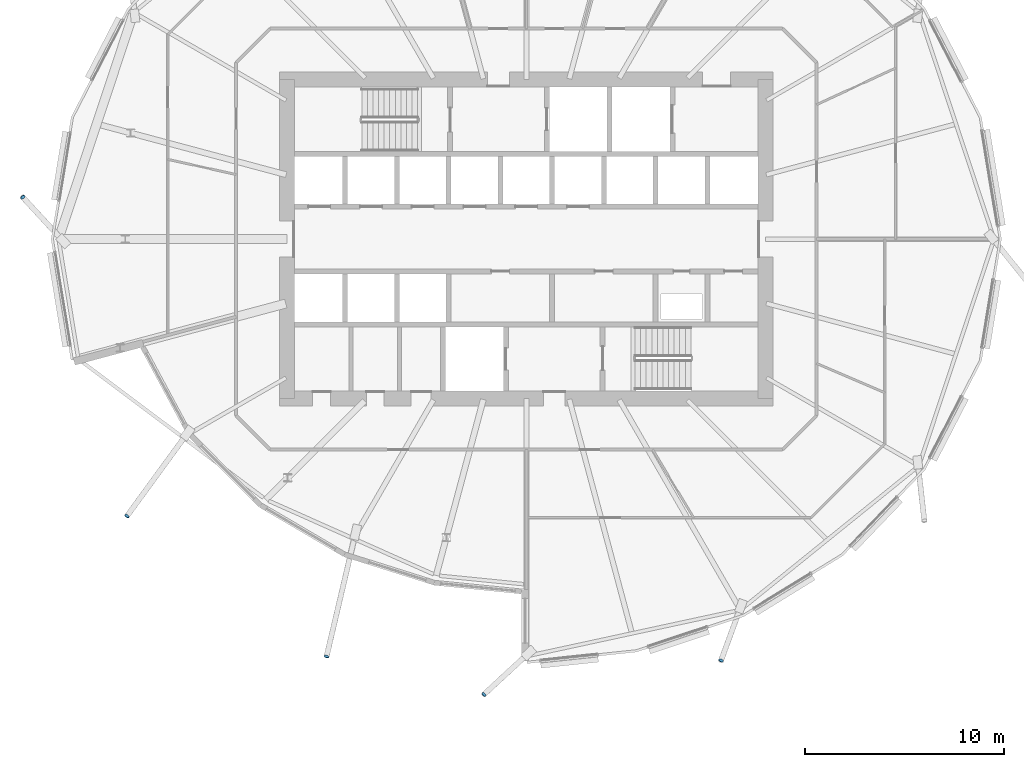
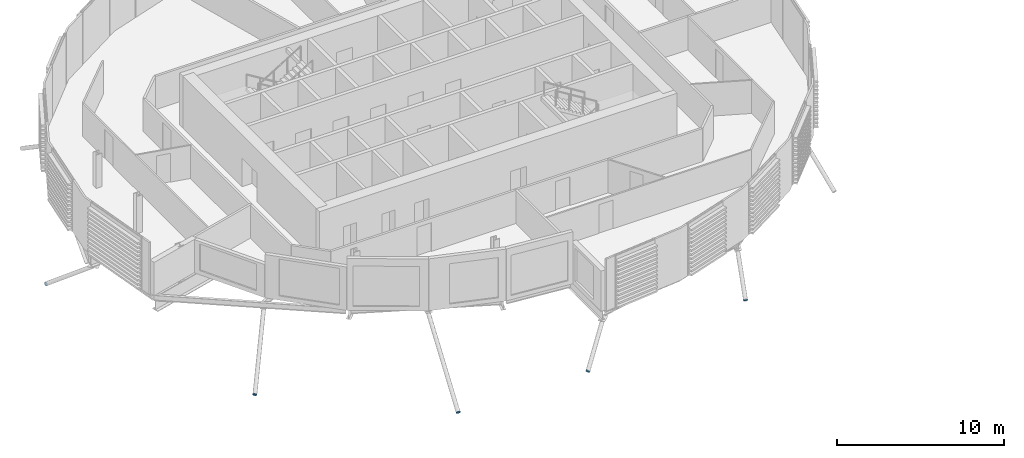
# One storey, part 29 of 42: 5 discrete accessories.
"""IFC4 building model written with IfcOpenShell, lengths in metres."""

from ifc_helpers import new_model, si_unit, direction, frame, origin, origin_2d, place, context, subcontext, project, spatial, circle, extrude, material, material_profile, profile_set, type_object, element, save


model = new_model("IFC4")

# Units and contexts
model_context = context("Model", 3, precision=1e-05, world=origin(), true_north=direction((0.0, 1.0)))
body_context = subcontext(model_context, "Body", "Model", "MODEL_VIEW")
ifc_project = project(units=[si_unit("LENGTHUNIT", "METRE"), si_unit("AREAUNIT", "SQUARE_METRE"), si_unit("VOLUMEUNIT", "CUBIC_METRE"), si_unit("PLANEANGLEUNIT", "RADIAN"), si_unit("MASSUNIT", "GRAM", prefix="KILO")], contexts=[model_context])

# Site, building, storey
site_placement = place(None, origin())
site = spatial("IfcSite", under=ifc_project, at=site_placement, CompositionType="ELEMENT")
building_placement = place(site_placement, origin())
building = spatial("IfcBuilding", under=site, at=building_placement, Name="Rimbun Link Towers", CompositionType="ELEMENT")
storey_placement = place(building_placement, frame((0.0, 0.0, 85.39990234375)))
storey = spatial("IfcBuildingStorey", under=building, at=storey_placement, Name="L20", CompositionType="ELEMENT", Elevation=85.39990234375)

# Discrete accessories
ifc_material = material(Name="Steel S355J2H", Category="steel")
ifc_material_profile = material_profile(ifc_material, circle(Radius=0.1240234375, at=origin_2d()), Name="PL D248")
ifc_profile_set = profile_set([ifc_material_profile], Name="Steel S355J2H")
discrete_accessory_type = type_object("IfcDiscreteAccessoryType", Name="Link foot sealing plate D248X20", PredefinedType="BRACKET", material=ifc_profile_set)
discrete_accessory_1_placement = place(storey_placement, frame((-56.99072265625, 2.09326171875, -3.3154296875), z_axis=(-0.568497551432, 0.616880321766, -0.544306166264), x_axis=(-0.735355995929, -0.677681015856, 0.0)))
element("IfcDiscreteAccessory", 1, at=discrete_accessory_1_placement, inside=storey, type_object=discrete_accessory_type, Name="Link foot sealing plate T1 L20 12", PredefinedType="BRACKET", context=body_context, shape_type="SweptSolid", body=[
    extrude(circle(Radius=0.1240234375, at=origin_2d()), origin(), (0.0, 0.0, 1.0), 0.020263671875),
])
discrete_accessory_2_placement = place(storey_placement, frame((-51.7666015625, -13.881103515625, -3.552001953125), z_axis=(-0.504255075395, -0.701037543842, -0.504255075395), x_axis=(0.811804390952, -0.583929474193, 0.0)))
element("IfcDiscreteAccessory", 2, at=discrete_accessory_2_placement, inside=storey, type_object=discrete_accessory_type, Name="Link foot sealing plate T1 L20 14", PredefinedType="BRACKET", context=body_context, shape_type="SweptSolid", body=[
    extrude(circle(Radius=0.1240234375, at=origin_2d()), origin(), (0.0, 0.0, 1.0), 0.019775390625),
])
for number, where, z_axis, x_axis, name in (
    (3, (-41.763671875, -20.921875, -4.087890625), (-0.195968978117, -0.869612340392, -0.453178261894), (0.97553613825, -0.219839129747, 0.0), "Link foot sealing plate T1 L20 16"),
    (4, (-33.870361328125, -22.82568359375, -2.677001953125), (-0.635803253097, -0.586895310551, -0.501306411095), (0.678280102733, -0.734803444627, 0.0), "Link foot sealing plate T1 L20 18"),
    (5, (-21.985595703125, -21.121826171875, -2.6640625), (-0.294306882953, -0.79708114133, -0.527299831957), (0.938096474139, -0.346374082759, 0.0), "Link foot sealing plate T1 L20 20"),
):
    element("IfcDiscreteAccessory", number, at=place(storey_placement, frame(where, z_axis=z_axis, x_axis=x_axis)), inside=storey, type_object=discrete_accessory_type, Name=name, PredefinedType="BRACKET", context=body_context, shape_type="SweptSolid", body=[
        extrude(circle(Radius=0.1240234375, at=origin_2d()), origin(), (0.0, 0.0, 1.0), 0.02001953125),
    ])

save(model, "model.ifc")
